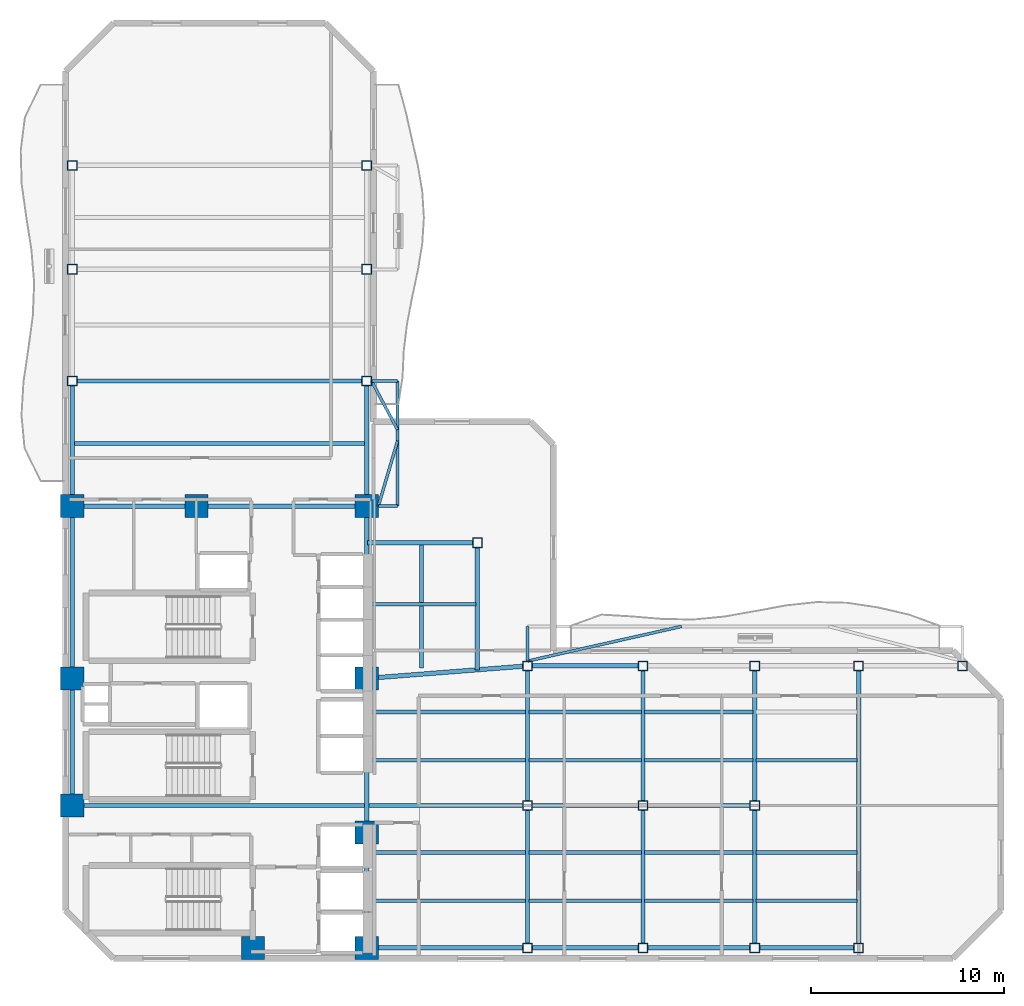
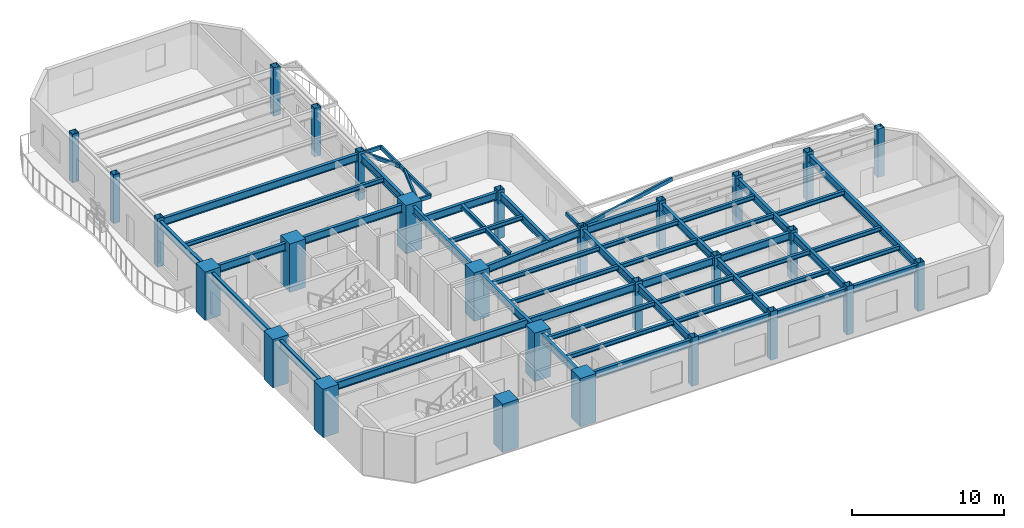
# One storey, part 1 of 9: 53 beams, 28 columns.
"""IFC4 building model written with IfcOpenShell, lengths in metres."""

from ifc_helpers import new_model, si_unit, direction, frame, origin, origin_2d, place, context, subcontext, project, spatial, rectangle, hollow_rectangle, i_section, extrude, material, material_profile, profile_set, type_object, element, save


model = new_model("IFC4")

# Units and contexts
model_context = context("Model", 3, precision=1e-05, world=origin(), true_north=direction((0.0, 1.0)))
body_context = subcontext(model_context, "Body", "Model", "MODEL_VIEW")
ifc_project = project(units=[si_unit("LENGTHUNIT", "METRE"), si_unit("AREAUNIT", "SQUARE_METRE"), si_unit("VOLUMEUNIT", "CUBIC_METRE"), si_unit("PLANEANGLEUNIT", "RADIAN"), si_unit("MASSUNIT", "GRAM", prefix="KILO")], contexts=[model_context])

# Site, building, storey
site_placement = place(None, origin())
site = spatial("IfcSite", under=ifc_project, at=site_placement, CompositionType="ELEMENT")
building_placement = place(site_placement, origin())
building = spatial("IfcBuilding", under=site, at=building_placement, Name="Mawjaban Terraces University", CompositionType="ELEMENT")
storey_placement = place(building_placement, frame((0.0, 0.0, 130.699951171875)))
storey = spatial("IfcBuildingStorey", under=building, at=storey_placement, Name="L31", CompositionType="ELEMENT", Elevation=130.699951171875)

# Columns
ifc_material_1 = material(Name="Concrete C60/75", Category="concrete")
ifc_material_profile_1 = material_profile(ifc_material_1, rectangle(XDim=1.199951171875, YDim=1.199951171875, at=origin_2d()), Name="RC1200X1200")
ifc_profile_set_1 = profile_set([ifc_material_profile_1], Name="Concrete C60/75")
column_type_1 = type_object("IfcColumnType", Name="Col_RC1200X1200", PredefinedType="COLUMN", material=ifc_profile_set_1)
for number, where, z_axis, x_axis, name in (
    (1, (31.75, 0.550048828125, 0.0), (0.0, 0.0, 1.0), (1.0, 0.0, 0.0), "L31 Column CC2"),
    (2, (37.64990234375, 0.550048828125, 0.0), (0.0, 0.0, 1.0), (1.0, 0.0, 0.0), "L31 Column CC3"),
    (3, (22.35009765625, 7.949951171875, 0.0), (0.0, 0.0, 1.0), (1.0, 0.0, 0.0), "L31 Column CC4"),
    (4, (37.64990234375, 6.550048828125, 0.0), (0.0, 0.0, 1.0), (1.0, 0.0, 0.0), "L31 Column CC5"),
    (5, (22.35009765625, 14.550048828125, 0.0), (0.0, 0.0, 1.0), (1.0, 0.0, 0.0), "L31 Column CC6"),
    (6, (37.64990234375, 14.550048828125, 0.0), (0.0, 0.0, 1.0), (1.0, 0.0, 0.0), "L31 Column CC7"),
    (7, (22.35009765625, 23.5, 0.0), (0.0, 0.0, 1.0), (1.0, 0.0, 0.0), "L31 Column CC8"),
    (8, (28.800048828125, 23.5, 0.0), (0.0, 0.0, 1.0), (1.0, 0.0, 0.0), "L31 Column CC9"),
    (9, (37.64990234375, 23.5, 0.0), (0.0, 0.0, 1.0), (1.0, 0.0, 0.0), "L31 Column CC10"),
):
    element("IfcColumn", number, at=place(storey_placement, frame(where, z_axis=z_axis, x_axis=x_axis)), inside=storey, type_object=column_type_1, Name=name, PredefinedType="COLUMN", context=body_context, shape_type="SweptSolid", body=[
        extrude(rectangle(XDim=1.199951171875, YDim=1.199951171875, at=origin_2d()), origin(), (0.0, 0.0, 1.0), 3.900146484375),
    ])
ifc_material_2 = material(Name="Steel EN 10210-1 S355J2H", Category="steel")
ifc_material_profile_2 = material_profile(ifc_material_2, hollow_rectangle(XDim=0.5, YDim=0.5, WallThickness=0.02490234375, at=origin_2d()), Name="SHS500X500X25")
ifc_profile_set_2 = profile_set([ifc_material_profile_2], Name="Steel EN 10210-1 S355J2H")
column_type_2 = type_object("IfcColumnType", Name="Col_SHS500X500X25", PredefinedType="COLUMN", material=ifc_profile_set_2)
for number, where, z_axis, x_axis, name in (
    (10, (46.0, 0.550048828125, 0.0), (0.0, 0.0, 1.0), (1.0, 0.0, 0.0), "L31 Column TE-460-005"),
    (11, (46.0, 7.949951171875, 0.0), (0.0, 0.0, 1.0), (1.0, 0.0, 0.0), "L31 Column TE-460-080"),
    (12, (46.0, 15.199951171875, 0.0), (0.0, 0.0, 1.0), (1.0, 0.0, 0.0), "L31 Column TE-460-152"),
    (13, (52.0, 0.550048828125, 0.0), (0.0, 0.0, 1.0), (1.0, 0.0, 0.0), "L31 Column TE-520-005"),
    (14, (52.0, 7.949951171875, 0.0), (0.0, 0.0, 1.0), (1.0, 0.0, 0.0), "L31 Column TE-520-080"),
    (15, (52.0, 15.199951171875, 0.0), (0.0, 0.0, 1.0), (1.0, 0.0, 0.0), "L31 Column TE-520-152"),
    (16, (57.800048828125, 0.550048828125, 0.0), (0.0, 0.0, 1.0), (1.0, 0.0, 0.0), "L31 Column TE-578-005"),
    (17, (57.800048828125, 7.949951171875, 0.0), (0.0, 0.0, 1.0), (1.0, 0.0, 0.0), "L31 Column TE-578-080"),
    (18, (57.800048828125, 15.199951171875, 0.0), (0.0, 0.0, 1.0), (1.0, 0.0, 0.0), "L31 Column TE-578-152"),
    (19, (63.199951171875, 0.550048828125, 0.0), (0.0, 0.0, 1.0), (1.0, 0.0, 0.0), "L31 Column TE-632-005"),
    (20, (63.199951171875, 15.199951171875, 0.0), (0.0, 0.0, 1.0), (1.0, 0.0, 0.0), "L31 Column TE-632-152"),
    (21, (68.60009765625, 15.199951171875, 0.0), (0.0, 0.0, 1.0), (1.0, 0.0, 0.0), "L31 Column TE-686-152"),
    (22, (22.35009765625, 30.0, 0.0), (0.0, 0.0, 1.0), (1.0, 0.0, 0.0), "L31 Column TN-223-300"),
    (23, (37.64990234375, 30.0, 0.0), (0.0, 0.0, 1.0), (1.0, 0.0, 0.0), "L31 Column TN-376-300"),
    (24, (22.35009765625, 35.800048828125, 0.0), (0.0, 0.0, 1.0), (1.0, 0.0, 0.0), "L31 Column TN-223-358"),
    (25, (37.64990234375, 35.800048828125, 0.0), (0.0, 0.0, 1.0), (1.0, 0.0, 0.0), "L31 Column TN-376-358"),
    (26, (22.35009765625, 41.199951171875, 0.0), (0.0, 0.0, 1.0), (1.0, 0.0, 0.0), "L31 Column TN-223-412"),
    (27, (37.64990234375, 41.199951171875, 0.0), (0.0, 0.0, 1.0), (1.0, 0.0, 0.0), "L31 Column TN-376-412"),
    (28, (43.39990234375, 21.60009765625, 0.0), (0.0, 0.0, 1.0), (1.0, 0.0, 0.0), "L31 Column TS-434-216"),
):
    element("IfcColumn", number, at=place(storey_placement, frame(where, z_axis=z_axis, x_axis=x_axis)), inside=storey, type_object=column_type_2, Name=name, PredefinedType="COLUMN", context=body_context, shape_type="SweptSolid", body=[
        extrude(hollow_rectangle(XDim=0.5, YDim=0.5, WallThickness=0.02490234375, at=origin_2d()), origin(), (0.0, 0.0, 1.0), 3.900146484375),
    ])

# Beams
ifc_material_profile_3 = material_profile(ifc_material_2, hollow_rectangle(XDim=0.14990234375, YDim=0.300048828125, WallThickness=0.012451171875, at=origin_2d()), Name="RHS300X150X12.5")
ifc_profile_set_3 = profile_set([ifc_material_profile_3], Name="Steel EN 10210-1 S355J2H")
beam_type_1 = type_object("IfcBeamType", Name="BalconyCantileverSpandrel_RHS", PredefinedType="SPANDREL", material=ifc_profile_set_3)
beam_1_placement = place(storey_placement, frame((46.0, 15.449951171875, 3.5400390625), z_axis=(0.0, 1.0, 0.0), x_axis=(-1.0, 0.0, 0.0)))
element("IfcBeam", 29, at=beam_1_placement, inside=storey, type_object=beam_type_1, Name="L31 Exterior Outrigger BAL-L32-N.1", PredefinedType="SPANDREL", context=body_context, shape_type="SweptSolid", body=[
    extrude(hollow_rectangle(XDim=0.14990234375, YDim=0.300048828125, WallThickness=0.012451171875, at=origin_2d()), origin(), (0.0, 0.0, 1.0), 1.800048828125),
])
beam_2_placement = place(storey_placement, frame((46.0, 15.449951171875, 3.5400390625), z_axis=(0.975585509407, 0.219619930412, 0.0), x_axis=(-0.219619930412, 0.975585509407, 0.0)))
element("IfcBeam", 30, at=beam_2_placement, inside=storey, type_object=beam_type_1, Name="L31 Exterior Diagonal Strut BAL-L32-N.1", PredefinedType="SPANDREL", context=body_context, shape_type="SweptSolid", body=[
    extrude(hollow_rectangle(XDim=0.14990234375, YDim=0.300048828125, WallThickness=0.012451171875, at=origin_2d()), origin(), (0.0, 0.0, 1.0), 8.1962890625),
])
beam_3_placement = place(storey_placement, frame((38.25, 23.5, 3.5400390625), z_axis=(1.0, 0.0, 0.0), x_axis=(0.0, 1.0, 0.0)))
element("IfcBeam", 31, at=beam_3_placement, inside=storey, type_object=beam_type_1, Name="L31 Exterior Outrigger TER-L32-CLIMB.1", PredefinedType="SPANDREL", context=body_context, shape_type="SweptSolid", body=[
    extrude(hollow_rectangle(XDim=0.14990234375, YDim=0.300048828125, WallThickness=0.012451171875, at=origin_2d()), origin(), (0.0, 0.0, 1.0), 1.0),
])
beam_4_placement = place(storey_placement, frame((37.89990234375, 30.0, 3.5400390625), z_axis=(1.0, 0.0, 0.0), x_axis=(0.0, 1.0, 0.0)))
element("IfcBeam", 32, at=beam_4_placement, inside=storey, type_object=beam_type_1, Name="L31 Exterior Outrigger TER-L32-CLIMB.2", PredefinedType="SPANDREL", context=body_context, shape_type="SweptSolid", body=[
    extrude(hollow_rectangle(XDim=0.14990234375, YDim=0.300048828125, WallThickness=0.012451171875, at=origin_2d()), origin(), (0.0, 0.0, 1.0), 1.35009765625),
])
beam_5_placement = place(storey_placement, frame((39.25, 23.5, 3.5400390625), z_axis=(0.0, 1.0, 0.0), x_axis=(-1.0, 0.0, 0.0)))
element("IfcBeam", 33, at=beam_5_placement, inside=storey, type_object=beam_type_1, Name="L31 Exterior Edge Spandrel TER-L32-CLIMB", PredefinedType="SPANDREL", context=body_context, shape_type="SweptSolid", body=[
    extrude(hollow_rectangle(XDim=0.14990234375, YDim=0.300048828125, WallThickness=0.012451171875, at=origin_2d()), origin(), (0.0, 0.0, 1.0), 6.5),
])
beam_6_placement = place(storey_placement, frame((38.25, 23.5, 3.5400390625), z_axis=(0.283315778854, 0.959026678176, 0.0), x_axis=(-0.959026678176, 0.283315778854, 0.0)))
element("IfcBeam", 34, at=beam_6_placement, inside=storey, type_object=beam_type_1, Name="L31 Exterior Diagonal Strut TER-L32-CLIMB.1", PredefinedType="SPANDREL", context=body_context, shape_type="SweptSolid", body=[
    extrude(hollow_rectangle(XDim=0.14990234375, YDim=0.300048828125, WallThickness=0.012451171875, at=origin_2d()), origin(), (0.0, 0.0, 1.0), 3.529541015625),
])
beam_7_placement = place(storey_placement, frame((37.89990234375, 30.0, 3.5400390625), z_axis=(0.470085180017, -0.882621053186, 0.0), x_axis=(0.882621053186, 0.470085180017, 0.0)))
element("IfcBeam", 35, at=beam_7_placement, inside=storey, type_object=beam_type_1, Name="L31 Exterior Diagonal Strut TER-L32-CLIMB.2", PredefinedType="SPANDREL", context=body_context, shape_type="SweptSolid", body=[
    extrude(hollow_rectangle(XDim=0.14990234375, YDim=0.300048828125, WallThickness=0.012451171875, at=origin_2d()), origin(), (0.0, 0.0, 1.0), 2.8720703125),
])
ifc_material_3 = material(Name="Steel ASTM A572 Grade 50", Category="steel")
ifc_material_profile_4 = material_profile(ifc_material_3, i_section(OverallWidth=0.22998046875, OverallDepth=0.616943359375, WebThickness=0.01318359375, FlangeThickness=0.022216796875, at=origin_2d()), Name="W610X140")
ifc_profile_set_4 = profile_set([ifc_material_profile_4], Name="Steel ASTM A572 Grade 50")
beam_type_2 = type_object("IfcBeamType", Name="Beam_B_W610X140", PredefinedType="BEAM", material=ifc_profile_set_4)
beam_8_placement = place(storey_placement, frame((38.25, 0.550048828125, 3.381103515625), z_axis=(1.0, 0.0, 0.0), x_axis=(0.0, 1.0, 0.0)))
element("IfcBeam", 36, at=beam_8_placement, inside=storey, type_object=beam_type_2, Name="L31 Beam BM-L31-EW-01", PredefinedType="BEAM", context=body_context, shape_type="SweptSolid", body=[
    extrude(i_section(OverallWidth=0.22998046875, OverallDepth=0.616943359375, WebThickness=0.01318359375, FlangeThickness=0.022216796875, at=origin_2d()), origin(), (0.0, 0.0, 1.0), 7.5),
])
beam_9_placement = place(storey_placement, frame((46.25, 0.550048828125, 3.381103515625), z_axis=(1.0, 0.0, 0.0), x_axis=(0.0, 1.0, 0.0)))
element("IfcBeam", 37, at=beam_9_placement, inside=storey, type_object=beam_type_2, Name="L31 Beam BM-L31-EW-02", PredefinedType="BEAM", context=body_context, shape_type="SweptSolid", body=[
    extrude(i_section(OverallWidth=0.22998046875, OverallDepth=0.616943359375, WebThickness=0.01318359375, FlangeThickness=0.022216796875, at=origin_2d()), origin(), (0.0, 0.0, 1.0), 5.5),
])
beam_10_placement = place(storey_placement, frame((52.25, 0.550048828125, 3.381103515625), z_axis=(1.0, 0.0, 0.0), x_axis=(0.0, 1.0, 0.0)))
element("IfcBeam", 38, at=beam_10_placement, inside=storey, type_object=beam_type_2, Name="L31 Beam BM-L31-EW-03", PredefinedType="BEAM", context=body_context, shape_type="SweptSolid", body=[
    extrude(i_section(OverallWidth=0.22998046875, OverallDepth=0.616943359375, WebThickness=0.01318359375, FlangeThickness=0.022216796875, at=origin_2d()), origin(), (0.0, 0.0, 1.0), 5.300048828125),
])
beam_11_placement = place(storey_placement, frame((58.050048828125, 0.550048828125, 3.381103515625), z_axis=(1.0, 0.0, 0.0), x_axis=(0.0, 1.0, 0.0)))
element("IfcBeam", 39, at=beam_11_placement, inside=storey, type_object=beam_type_2, Name="L31 Beam BM-L31-EW-04", PredefinedType="BEAM", context=body_context, shape_type="SweptSolid", body=[
    extrude(i_section(OverallWidth=0.22998046875, OverallDepth=0.616943359375, WebThickness=0.01318359375, FlangeThickness=0.022216796875, at=origin_2d()), origin(), (0.0, 0.0, 1.0), 4.89990234375),
])
beam_12_placement = place(storey_placement, frame((22.949951171875, 7.949951171875, 3.381103515625), z_axis=(1.0, 0.0, 0.0), x_axis=(0.0, 1.0, 0.0)))
element("IfcBeam", 40, at=beam_12_placement, inside=storey, type_object=beam_type_2, Name="L31 Beam BM-L31-EW-05", PredefinedType="BEAM", context=body_context, shape_type="SweptSolid", body=[
    extrude(i_section(OverallWidth=0.22998046875, OverallDepth=0.616943359375, WebThickness=0.01318359375, FlangeThickness=0.022216796875, at=origin_2d()), origin(), (0.0, 0.0, 1.0), 22.800048828125),
])
beam_13_placement = place(storey_placement, frame((46.25, 7.949951171875, 3.381103515625), z_axis=(1.0, 0.0, 0.0), x_axis=(0.0, 1.0, 0.0)))
element("IfcBeam", 41, at=beam_13_placement, inside=storey, type_object=beam_type_2, Name="L31 Beam BM-L31-EW-06", PredefinedType="BEAM", context=body_context, shape_type="SweptSolid", body=[
    extrude(i_section(OverallWidth=0.22998046875, OverallDepth=0.616943359375, WebThickness=0.01318359375, FlangeThickness=0.022216796875, at=origin_2d()), origin(), (0.0, 0.0, 1.0), 5.5),
])
beam_14_placement = place(storey_placement, frame((52.25, 7.949951171875, 3.381103515625), z_axis=(1.0, 0.0, 0.0), x_axis=(0.0, 1.0, 0.0)))
element("IfcBeam", 42, at=beam_14_placement, inside=storey, type_object=beam_type_2, Name="L31 Beam BM-L31-EW-07", PredefinedType="BEAM", context=body_context, shape_type="SweptSolid", body=[
    extrude(i_section(OverallWidth=0.22998046875, OverallDepth=0.616943359375, WebThickness=0.01318359375, FlangeThickness=0.022216796875, at=origin_2d()), origin(), (0.0, 0.0, 1.0), 5.300048828125),
])
beam_15_placement = place(storey_placement, frame((46.25, 15.199951171875, 3.381103515625), z_axis=(1.0, 0.0, 0.0), x_axis=(0.0, 1.0, 0.0)))
element("IfcBeam", 43, at=beam_15_placement, inside=storey, type_object=beam_type_2, Name="L31 Beam BM-L31-EW-08", PredefinedType="BEAM", context=body_context, shape_type="SweptSolid", body=[
    extrude(i_section(OverallWidth=0.22998046875, OverallDepth=0.616943359375, WebThickness=0.01318359375, FlangeThickness=0.022216796875, at=origin_2d()), origin(), (0.0, 0.0, 1.0), 5.5),
])
beam_16_placement = place(storey_placement, frame((22.949951171875, 23.5, 3.381103515625), z_axis=(1.0, 0.0, 0.0), x_axis=(0.0, 1.0, 0.0)))
element("IfcBeam", 44, at=beam_16_placement, inside=storey, type_object=beam_type_2, Name="L31 Beam BM-L31-EW-12", PredefinedType="BEAM", context=body_context, shape_type="SweptSolid", body=[
    extrude(i_section(OverallWidth=0.22998046875, OverallDepth=0.616943359375, WebThickness=0.01318359375, FlangeThickness=0.022216796875, at=origin_2d()), origin(), (0.0, 0.0, 1.0), 5.25),
])
beam_17_placement = place(storey_placement, frame((29.39990234375, 23.5, 3.381103515625), z_axis=(1.0, 0.0, 0.0), x_axis=(0.0, 1.0, 0.0)))
element("IfcBeam", 45, at=beam_17_placement, inside=storey, type_object=beam_type_2, Name="L31 Beam BM-L31-EW-13", PredefinedType="BEAM", context=body_context, shape_type="SweptSolid", body=[
    extrude(i_section(OverallWidth=0.22998046875, OverallDepth=0.616943359375, WebThickness=0.01318359375, FlangeThickness=0.022216796875, at=origin_2d()), origin(), (0.0, 0.0, 1.0), 7.650146484375),
])
beam_18_placement = place(storey_placement, frame((22.60009765625, 30.0, 3.381103515625), z_axis=(1.0, 0.0, 0.0), x_axis=(0.0, 1.0, 0.0)))
element("IfcBeam", 46, at=beam_18_placement, inside=storey, type_object=beam_type_2, Name="L31 Beam BM-L31-EW-14", PredefinedType="BEAM", context=body_context, shape_type="SweptSolid", body=[
    extrude(i_section(OverallWidth=0.22998046875, OverallDepth=0.616943359375, WebThickness=0.01318359375, FlangeThickness=0.022216796875, at=origin_2d()), origin(), (0.0, 0.0, 1.0), 14.7998046875),
])
beam_19_placement = place(storey_placement, frame((22.35009765625, 8.550048828125, 3.381103515625), z_axis=(0.0, 1.0, 0.0), x_axis=(-1.0, 0.0, 0.0)))
element("IfcBeam", 47, at=beam_19_placement, inside=storey, type_object=beam_type_2, Name="L31 Beam BM-L31-NS-01", PredefinedType="BEAM", context=body_context, shape_type="SweptSolid", body=[
    extrude(i_section(OverallWidth=0.22998046875, OverallDepth=0.616943359375, WebThickness=0.01318359375, FlangeThickness=0.022216796875, at=origin_2d()), origin(), (0.0, 0.0, 1.0), 5.39990234375),
])
beam_20_placement = place(storey_placement, frame((22.35009765625, 15.14990234375, 3.381103515625), z_axis=(0.0, 1.0, 0.0), x_axis=(-1.0, 0.0, 0.0)))
element("IfcBeam", 48, at=beam_20_placement, inside=storey, type_object=beam_type_2, Name="L31 Beam BM-L31-NS-02", PredefinedType="BEAM", context=body_context, shape_type="SweptSolid", body=[
    extrude(i_section(OverallWidth=0.22998046875, OverallDepth=0.616943359375, WebThickness=0.01318359375, FlangeThickness=0.022216796875, at=origin_2d()), origin(), (0.0, 0.0, 1.0), 7.75),
])
beam_21_placement = place(storey_placement, frame((22.35009765625, 24.10009765625, 3.381103515625), z_axis=(0.0, 1.0, 0.0), x_axis=(-1.0, 0.0, 0.0)))
element("IfcBeam", 49, at=beam_21_placement, inside=storey, type_object=beam_type_2, Name="L31 Beam BM-L31-NS-03", PredefinedType="BEAM", context=body_context, shape_type="SweptSolid", body=[
    extrude(i_section(OverallWidth=0.22998046875, OverallDepth=0.616943359375, WebThickness=0.01318359375, FlangeThickness=0.022216796875, at=origin_2d()), origin(), (0.0, 0.0, 1.0), 5.64990234375),
])
beam_22_placement = place(storey_placement, frame((37.64990234375, 1.14990234375, 3.381103515625), z_axis=(0.0, 1.0, 0.0), x_axis=(-1.0, 0.0, 0.0)))
element("IfcBeam", 50, at=beam_22_placement, inside=storey, type_object=beam_type_2, Name="L31 Beam BM-L31-NS-06", PredefinedType="BEAM", context=body_context, shape_type="SweptSolid", body=[
    extrude(i_section(OverallWidth=0.22998046875, OverallDepth=0.616943359375, WebThickness=0.01318359375, FlangeThickness=0.022216796875, at=origin_2d()), origin(), (0.0, 0.0, 1.0), 4.800048828125),
])
beam_23_placement = place(storey_placement, frame((37.64990234375, 7.14990234375, 3.381103515625), z_axis=(0.0, 1.0, 0.0), x_axis=(-1.0, 0.0, 0.0)))
element("IfcBeam", 51, at=beam_23_placement, inside=storey, type_object=beam_type_2, Name="L31 Beam BM-L31-NS-07", PredefinedType="BEAM", context=body_context, shape_type="SweptSolid", body=[
    extrude(i_section(OverallWidth=0.22998046875, OverallDepth=0.616943359375, WebThickness=0.01318359375, FlangeThickness=0.022216796875, at=origin_2d()), origin(), (0.0, 0.0, 1.0), 6.800048828125),
])
beam_24_placement = place(storey_placement, frame((37.64990234375, 15.14990234375, 3.381103515625), z_axis=(0.0, 1.0, 0.0), x_axis=(-1.0, 0.0, 0.0)))
element("IfcBeam", 52, at=beam_24_placement, inside=storey, type_object=beam_type_2, Name="L31 Beam BM-L31-NS-08", PredefinedType="BEAM", context=body_context, shape_type="SweptSolid", body=[
    extrude(i_section(OverallWidth=0.22998046875, OverallDepth=0.616943359375, WebThickness=0.01318359375, FlangeThickness=0.022216796875, at=origin_2d()), origin(), (0.0, 0.0, 1.0), 7.75),
])
beam_25_placement = place(storey_placement, frame((37.64990234375, 24.10009765625, 3.381103515625), z_axis=(0.0, 1.0, 0.0), x_axis=(-1.0, 0.0, 0.0)))
element("IfcBeam", 53, at=beam_25_placement, inside=storey, type_object=beam_type_2, Name="L31 Beam BM-L31-NS-09", PredefinedType="BEAM", context=body_context, shape_type="SweptSolid", body=[
    extrude(i_section(OverallWidth=0.22998046875, OverallDepth=0.616943359375, WebThickness=0.01318359375, FlangeThickness=0.022216796875, at=origin_2d()), origin(), (0.0, 0.0, 1.0), 5.64990234375),
])
beam_26_placement = place(storey_placement, frame((46.0, 0.800048828125, 3.381103515625), z_axis=(0.0, 1.0, 0.0), x_axis=(-1.0, 0.0, 0.0)))
element("IfcBeam", 54, at=beam_26_placement, inside=storey, type_object=beam_type_2, Name="L31 Beam BM-L31-NS-12", PredefinedType="BEAM", context=body_context, shape_type="SweptSolid", body=[
    extrude(i_section(OverallWidth=0.22998046875, OverallDepth=0.616943359375, WebThickness=0.01318359375, FlangeThickness=0.022216796875, at=origin_2d()), origin(), (0.0, 0.0, 1.0), 6.89990234375),
])
beam_27_placement = place(storey_placement, frame((46.0, 8.199951171875, 3.381103515625), z_axis=(0.0, 1.0, 0.0), x_axis=(-1.0, 0.0, 0.0)))
element("IfcBeam", 55, at=beam_27_placement, inside=storey, type_object=beam_type_2, Name="L31 Beam BM-L31-NS-13", PredefinedType="BEAM", context=body_context, shape_type="SweptSolid", body=[
    extrude(i_section(OverallWidth=0.22998046875, OverallDepth=0.616943359375, WebThickness=0.01318359375, FlangeThickness=0.022216796875, at=origin_2d()), origin(), (0.0, 0.0, 1.0), 6.75),
])
beam_28_placement = place(storey_placement, frame((52.0, 0.800048828125, 3.381103515625), z_axis=(0.0, 1.0, 0.0), x_axis=(-1.0, 0.0, 0.0)))
element("IfcBeam", 56, at=beam_28_placement, inside=storey, type_object=beam_type_2, Name="L31 Beam BM-L31-NS-14", PredefinedType="BEAM", context=body_context, shape_type="SweptSolid", body=[
    extrude(i_section(OverallWidth=0.22998046875, OverallDepth=0.616943359375, WebThickness=0.01318359375, FlangeThickness=0.022216796875, at=origin_2d()), origin(), (0.0, 0.0, 1.0), 6.89990234375),
])
beam_29_placement = place(storey_placement, frame((52.0, 8.199951171875, 3.381103515625), z_axis=(0.0, 1.0, 0.0), x_axis=(-1.0, 0.0, 0.0)))
element("IfcBeam", 57, at=beam_29_placement, inside=storey, type_object=beam_type_2, Name="L31 Beam BM-L31-NS-15", PredefinedType="BEAM", context=body_context, shape_type="SweptSolid", body=[
    extrude(i_section(OverallWidth=0.22998046875, OverallDepth=0.616943359375, WebThickness=0.01318359375, FlangeThickness=0.022216796875, at=origin_2d()), origin(), (0.0, 0.0, 1.0), 6.75),
])
beam_30_placement = place(storey_placement, frame((57.800048828125, 0.800048828125, 3.381103515625), z_axis=(0.0, 1.0, 0.0), x_axis=(-1.0, 0.0, 0.0)))
element("IfcBeam", 58, at=beam_30_placement, inside=storey, type_object=beam_type_2, Name="L31 Beam BM-L31-NS-16", PredefinedType="BEAM", context=body_context, shape_type="SweptSolid", body=[
    extrude(i_section(OverallWidth=0.22998046875, OverallDepth=0.616943359375, WebThickness=0.01318359375, FlangeThickness=0.022216796875, at=origin_2d()), origin(), (0.0, 0.0, 1.0), 6.89990234375),
])
beam_31_placement = place(storey_placement, frame((57.800048828125, 8.199951171875, 3.381103515625), z_axis=(0.0, 1.0, 0.0), x_axis=(-1.0, 0.0, 0.0)))
element("IfcBeam", 59, at=beam_31_placement, inside=storey, type_object=beam_type_2, Name="L31 Beam BM-L31-NS-17", PredefinedType="BEAM", context=body_context, shape_type="SweptSolid", body=[
    extrude(i_section(OverallWidth=0.22998046875, OverallDepth=0.616943359375, WebThickness=0.01318359375, FlangeThickness=0.022216796875, at=origin_2d()), origin(), (0.0, 0.0, 1.0), 6.75),
])
beam_32_placement = place(storey_placement, frame((63.199951171875, 0.800048828125, 3.381103515625), z_axis=(0.0, 1.0, 0.0), x_axis=(-1.0, 0.0, 0.0)))
element("IfcBeam", 60, at=beam_32_placement, inside=storey, type_object=beam_type_2, Name="L31 Beam BM-L31-NS-18", PredefinedType="BEAM", context=body_context, shape_type="SweptSolid", body=[
    extrude(i_section(OverallWidth=0.22998046875, OverallDepth=0.616943359375, WebThickness=0.01318359375, FlangeThickness=0.022216796875, at=origin_2d()), origin(), (0.0, 0.0, 1.0), 14.14990234375),
])
beam_33_placement = place(storey_placement, frame((38.248046875, 14.596923828125, 3.381103515625), z_axis=(0.996984614132, 0.077599479273, 0.0), x_axis=(-0.077599479273, 0.996984614132, 0.0)))
element("IfcBeam", 61, at=beam_33_placement, inside=storey, type_object=beam_type_2, Name="L31 Beam BM-L31-CTIE", PredefinedType="BEAM", context=body_context, shape_type="SweptSolid", body=[
    extrude(i_section(OverallWidth=0.22998046875, OverallDepth=0.616943359375, WebThickness=0.01318359375, FlangeThickness=0.022216796875, at=origin_2d()), origin(), (0.0, 0.0, 1.0), 7.525634765625),
])
beam_34_placement = place(storey_placement, frame((37.679931640625, 21.60009765625, 3.381103515625), z_axis=(1.0, 0.0, 0.0), x_axis=(0.0, 1.0, 0.0)))
element("IfcBeam", 62, at=beam_34_placement, inside=storey, type_object=beam_type_2, Name="L31 Spur Tie Girder West", PredefinedType="BEAM", context=body_context, shape_type="SweptSolid", body=[
    extrude(i_section(OverallWidth=0.22998046875, OverallDepth=0.616943359375, WebThickness=0.01318359375, FlangeThickness=0.022216796875, at=origin_2d()), origin(), (0.0, 0.0, 1.0), 5.469970703125),
])
beam_35_placement = place(storey_placement, frame((43.39990234375, 15.0, 3.381103515625), z_axis=(0.0, 1.0, 0.0), x_axis=(-1.0, 0.0, 0.0)))
element("IfcBeam", 63, at=beam_35_placement, inside=storey, type_object=beam_type_2, Name="L31 Spur Tie Girder South", PredefinedType="BEAM", context=body_context, shape_type="SweptSolid", body=[
    extrude(i_section(OverallWidth=0.22998046875, OverallDepth=0.616943359375, WebThickness=0.01318359375, FlangeThickness=0.022216796875, at=origin_2d()), origin(), (0.0, 0.0, 1.0), 6.35009765625),
])
ifc_material_profile_5 = material_profile(ifc_material_3, i_section(OverallWidth=0.202880859375, OverallDepth=0.346923828125, WebThickness=0.0078125, FlangeThickness=0.013427734375, at=origin_2d()), Name="W360X64")
ifc_profile_set_5 = profile_set([ifc_material_profile_5], Name="Steel ASTM A572 Grade 50")
beam_type_3 = type_object("IfcBeamType", Name="Beam_J_W360X64", PredefinedType="JOIST", material=ifc_profile_set_5)
beam_36_placement = place(storey_placement, frame((37.72998046875, 3.0, 3.51611328125), z_axis=(1.0, 0.0, 0.0), x_axis=(0.0, 1.0, 0.0)))
element("IfcBeam", 64, at=beam_36_placement, inside=storey, type_object=beam_type_3, Name="L31 Composite Joist JST-L31-01", PredefinedType="JOIST", context=body_context, shape_type="SweptSolid", body=[
    extrude(i_section(OverallWidth=0.202880859375, OverallDepth=0.346923828125, WebThickness=0.0078125, FlangeThickness=0.013427734375, at=origin_2d()), origin(), (0.0, 0.0, 1.0), 8.18994140625),
])
beam_37_placement = place(storey_placement, frame((46.080078125, 3.0, 3.51611328125), z_axis=(1.0, 0.0, 0.0), x_axis=(0.0, 1.0, 0.0)))
element("IfcBeam", 65, at=beam_37_placement, inside=storey, type_object=beam_type_3, Name="L31 Composite Joist JST-L31-02", PredefinedType="JOIST", context=body_context, shape_type="SweptSolid", body=[
    extrude(i_section(OverallWidth=0.202880859375, OverallDepth=0.346923828125, WebThickness=0.0078125, FlangeThickness=0.013427734375, at=origin_2d()), origin(), (0.0, 0.0, 1.0), 5.83984375),
])
beam_38_placement = place(storey_placement, frame((52.080078125, 3.0, 3.51611328125), z_axis=(1.0, 0.0, 0.0), x_axis=(0.0, 1.0, 0.0)))
element("IfcBeam", 66, at=beam_38_placement, inside=storey, type_object=beam_type_3, Name="L31 Composite Joist JST-L31-03", PredefinedType="JOIST", context=body_context, shape_type="SweptSolid", body=[
    extrude(i_section(OverallWidth=0.202880859375, OverallDepth=0.346923828125, WebThickness=0.0078125, FlangeThickness=0.013427734375, at=origin_2d()), origin(), (0.0, 0.0, 1.0), 5.639892578125),
])
beam_39_placement = place(storey_placement, frame((57.8798828125, 3.0, 3.51611328125), z_axis=(1.0, 0.0, 0.0), x_axis=(0.0, 1.0, 0.0)))
element("IfcBeam", 67, at=beam_39_placement, inside=storey, type_object=beam_type_3, Name="L31 Composite Joist JST-L31-04", PredefinedType="JOIST", context=body_context, shape_type="SweptSolid", body=[
    extrude(i_section(OverallWidth=0.202880859375, OverallDepth=0.346923828125, WebThickness=0.0078125, FlangeThickness=0.013427734375, at=origin_2d()), origin(), (0.0, 0.0, 1.0), 5.240234375),
])
beam_40_placement = place(storey_placement, frame((37.72998046875, 5.5, 3.51611328125), z_axis=(1.0, 0.0, 0.0), x_axis=(0.0, 1.0, 0.0)))
element("IfcBeam", 68, at=beam_40_placement, inside=storey, type_object=beam_type_3, Name="L31 Composite Joist JST-L31-05", PredefinedType="JOIST", context=body_context, shape_type="SweptSolid", body=[
    extrude(i_section(OverallWidth=0.202880859375, OverallDepth=0.346923828125, WebThickness=0.0078125, FlangeThickness=0.013427734375, at=origin_2d()), origin(), (0.0, 0.0, 1.0), 8.18994140625),
])
beam_41_placement = place(storey_placement, frame((46.080078125, 5.5, 3.51611328125), z_axis=(1.0, 0.0, 0.0), x_axis=(0.0, 1.0, 0.0)))
element("IfcBeam", 69, at=beam_41_placement, inside=storey, type_object=beam_type_3, Name="L31 Composite Joist JST-L31-06", PredefinedType="JOIST", context=body_context, shape_type="SweptSolid", body=[
    extrude(i_section(OverallWidth=0.202880859375, OverallDepth=0.346923828125, WebThickness=0.0078125, FlangeThickness=0.013427734375, at=origin_2d()), origin(), (0.0, 0.0, 1.0), 5.83984375),
])
beam_42_placement = place(storey_placement, frame((52.080078125, 5.5, 3.51611328125), z_axis=(1.0, 0.0, 0.0), x_axis=(0.0, 1.0, 0.0)))
element("IfcBeam", 70, at=beam_42_placement, inside=storey, type_object=beam_type_3, Name="L31 Composite Joist JST-L31-07", PredefinedType="JOIST", context=body_context, shape_type="SweptSolid", body=[
    extrude(i_section(OverallWidth=0.202880859375, OverallDepth=0.346923828125, WebThickness=0.0078125, FlangeThickness=0.013427734375, at=origin_2d()), origin(), (0.0, 0.0, 1.0), 5.639892578125),
])
beam_43_placement = place(storey_placement, frame((57.8798828125, 5.5, 3.51611328125), z_axis=(1.0, 0.0, 0.0), x_axis=(0.0, 1.0, 0.0)))
element("IfcBeam", 71, at=beam_43_placement, inside=storey, type_object=beam_type_3, Name="L31 Composite Joist JST-L31-08", PredefinedType="JOIST", context=body_context, shape_type="SweptSolid", body=[
    extrude(i_section(OverallWidth=0.202880859375, OverallDepth=0.346923828125, WebThickness=0.0078125, FlangeThickness=0.013427734375, at=origin_2d()), origin(), (0.0, 0.0, 1.0), 5.240234375),
])
beam_44_placement = place(storey_placement, frame((37.72998046875, 10.300048828125, 3.51611328125), z_axis=(1.0, 0.0, 0.0), x_axis=(0.0, 1.0, 0.0)))
element("IfcBeam", 72, at=beam_44_placement, inside=storey, type_object=beam_type_3, Name="L31 Composite Joist JST-L31-09", PredefinedType="JOIST", context=body_context, shape_type="SweptSolid", body=[
    extrude(i_section(OverallWidth=0.202880859375, OverallDepth=0.346923828125, WebThickness=0.0078125, FlangeThickness=0.013427734375, at=origin_2d()), origin(), (0.0, 0.0, 1.0), 8.18994140625),
])
beam_45_placement = place(storey_placement, frame((46.080078125, 10.300048828125, 3.51611328125), z_axis=(1.0, 0.0, 0.0), x_axis=(0.0, 1.0, 0.0)))
element("IfcBeam", 73, at=beam_45_placement, inside=storey, type_object=beam_type_3, Name="L31 Composite Joist JST-L31-10", PredefinedType="JOIST", context=body_context, shape_type="SweptSolid", body=[
    extrude(i_section(OverallWidth=0.202880859375, OverallDepth=0.346923828125, WebThickness=0.0078125, FlangeThickness=0.013427734375, at=origin_2d()), origin(), (0.0, 0.0, 1.0), 5.83984375),
])
beam_46_placement = place(storey_placement, frame((52.080078125, 10.300048828125, 3.51611328125), z_axis=(1.0, 0.0, 0.0), x_axis=(0.0, 1.0, 0.0)))
element("IfcBeam", 74, at=beam_46_placement, inside=storey, type_object=beam_type_3, Name="L31 Composite Joist JST-L31-11", PredefinedType="JOIST", context=body_context, shape_type="SweptSolid", body=[
    extrude(i_section(OverallWidth=0.202880859375, OverallDepth=0.346923828125, WebThickness=0.0078125, FlangeThickness=0.013427734375, at=origin_2d()), origin(), (0.0, 0.0, 1.0), 5.639892578125),
])
beam_47_placement = place(storey_placement, frame((57.8798828125, 10.300048828125, 3.51611328125), z_axis=(1.0, 0.0, 0.0), x_axis=(0.0, 1.0, 0.0)))
element("IfcBeam", 75, at=beam_47_placement, inside=storey, type_object=beam_type_3, Name="L31 Composite Joist JST-L31-12", PredefinedType="JOIST", context=body_context, shape_type="SweptSolid", body=[
    extrude(i_section(OverallWidth=0.202880859375, OverallDepth=0.346923828125, WebThickness=0.0078125, FlangeThickness=0.013427734375, at=origin_2d()), origin(), (0.0, 0.0, 1.0), 5.240234375),
])
beam_48_placement = place(storey_placement, frame((37.72998046875, 12.800048828125, 3.51611328125), z_axis=(1.0, 0.0, 0.0), x_axis=(0.0, 1.0, 0.0)))
element("IfcBeam", 76, at=beam_48_placement, inside=storey, type_object=beam_type_3, Name="L31 Composite Joist JST-L31-13", PredefinedType="JOIST", context=body_context, shape_type="SweptSolid", body=[
    extrude(i_section(OverallWidth=0.202880859375, OverallDepth=0.346923828125, WebThickness=0.0078125, FlangeThickness=0.013427734375, at=origin_2d()), origin(), (0.0, 0.0, 1.0), 8.18994140625),
])
beam_49_placement = place(storey_placement, frame((46.080078125, 12.800048828125, 3.51611328125), z_axis=(1.0, 0.0, 0.0), x_axis=(0.0, 1.0, 0.0)))
element("IfcBeam", 77, at=beam_49_placement, inside=storey, type_object=beam_type_3, Name="L31 Composite Joist JST-L31-14", PredefinedType="JOIST", context=body_context, shape_type="SweptSolid", body=[
    extrude(i_section(OverallWidth=0.202880859375, OverallDepth=0.346923828125, WebThickness=0.0078125, FlangeThickness=0.013427734375, at=origin_2d()), origin(), (0.0, 0.0, 1.0), 5.83984375),
])
beam_50_placement = place(storey_placement, frame((52.080078125, 12.800048828125, 3.51611328125), z_axis=(1.0, 0.0, 0.0), x_axis=(0.0, 1.0, 0.0)))
element("IfcBeam", 78, at=beam_50_placement, inside=storey, type_object=beam_type_3, Name="L31 Composite Joist JST-L31-15", PredefinedType="JOIST", context=body_context, shape_type="SweptSolid", body=[
    extrude(i_section(OverallWidth=0.202880859375, OverallDepth=0.346923828125, WebThickness=0.0078125, FlangeThickness=0.013427734375, at=origin_2d()), origin(), (0.0, 0.0, 1.0), 5.639892578125),
])
beam_51_placement = place(storey_placement, frame((37.72998046875, 18.39990234375, 3.51611328125), z_axis=(1.0, 0.0, 0.0), x_axis=(0.0, 1.0, 0.0)))
element("IfcBeam", 79, at=beam_51_placement, inside=storey, type_object=beam_type_3, Name="L31 Composite Joist JST-L31-17", PredefinedType="JOIST", context=body_context, shape_type="SweptSolid", body=[
    extrude(i_section(OverallWidth=0.202880859375, OverallDepth=0.346923828125, WebThickness=0.0078125, FlangeThickness=0.013427734375, at=origin_2d()), origin(), (0.0, 0.0, 1.0), 5.590087890625),
])
beam_52_placement = place(storey_placement, frame((22.429931640625, 26.75, 3.51611328125), z_axis=(1.0, 0.0, 0.0), x_axis=(0.0, 1.0, 0.0)))
element("IfcBeam", 80, at=beam_52_placement, inside=storey, type_object=beam_type_3, Name="L31 Composite Joist JST-L31-18", PredefinedType="JOIST", context=body_context, shape_type="SweptSolid", body=[
    extrude(i_section(OverallWidth=0.202880859375, OverallDepth=0.346923828125, WebThickness=0.0078125, FlangeThickness=0.013427734375, at=origin_2d()), origin(), (0.0, 0.0, 1.0), 15.14013671875),
])
beam_53_placement = place(storey_placement, frame((40.5, 15.080078125, 3.51611328125), z_axis=(0.0, 1.0, 0.0), x_axis=(-1.0, 0.0, 0.0)))
element("IfcBeam", 81, at=beam_53_placement, inside=storey, type_object=beam_type_3, Name="L31 Composite Joist JST-L31-NS-21", PredefinedType="JOIST", context=body_context, shape_type="SweptSolid", body=[
    extrude(i_section(OverallWidth=0.202880859375, OverallDepth=0.346923828125, WebThickness=0.0078125, FlangeThickness=0.013427734375, at=origin_2d()), origin(), (0.0, 0.0, 1.0), 6.43994140625),
])

save(model, "model.ifc")
